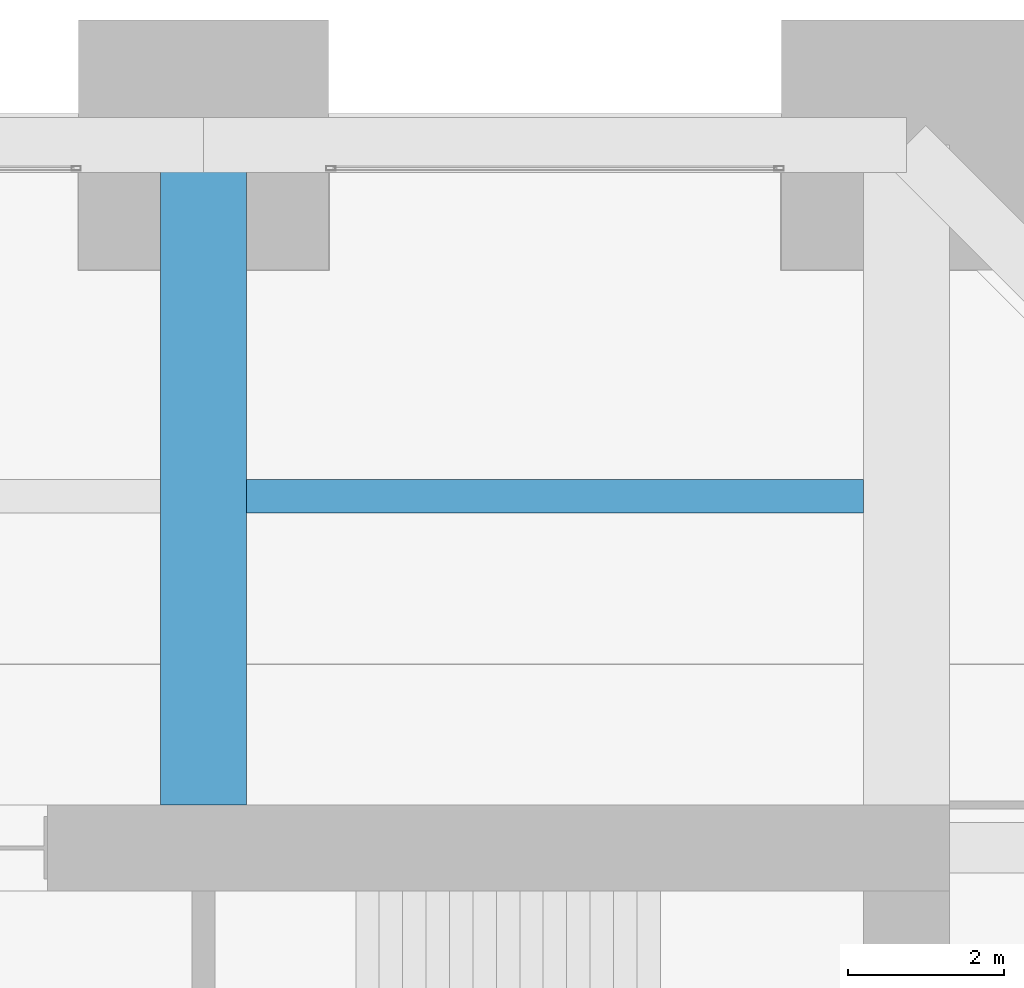
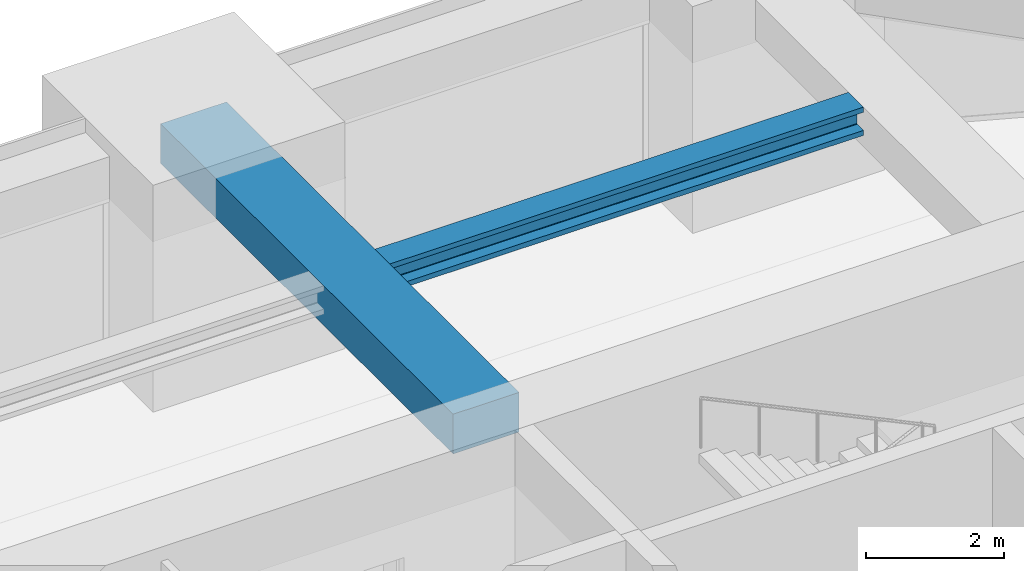
# One storey, part 33 of 43: 2 beams.
"""IFC4 building model written with IfcOpenShell, lengths in metres."""

from ifc_helpers import new_model, si_unit, direction, frame, origin, origin_2d, place, context, subcontext, project, spatial, rectangle, i_section, extrude, material, material_profile, profile_set, type_object, element, save


model = new_model("IFC4")

# Units and contexts
model_context = context("Model", 3, precision=1e-05, world=origin(), true_north=direction((0.0, 1.0)))
body_context = subcontext(model_context, "Body", "Model", "MODEL_VIEW")
ifc_project = project(units=[si_unit("LENGTHUNIT", "METRE"), si_unit("AREAUNIT", "SQUARE_METRE"), si_unit("VOLUMEUNIT", "CUBIC_METRE"), si_unit("PLANEANGLEUNIT", "RADIAN"), si_unit("MASSUNIT", "GRAM", prefix="KILO")], contexts=[model_context])

# Site, building, storey
site_placement = place(None, origin())
site = spatial("IfcSite", under=ifc_project, at=site_placement, CompositionType="ELEMENT")
building_placement = place(site_placement, origin())
building = spatial("IfcBuilding", under=site, at=building_placement, Name="Zorevar Civic Tower", CompositionType="ELEMENT")
storey_placement = place(building_placement, frame((0.0, 0.0, 243.39990234375)))
storey = spatial("IfcBuildingStorey", under=building, at=storey_placement, Name="L59", CompositionType="ELEMENT", Elevation=243.39990234375)

# Beams
ifc_material_1 = material(Name="Concrete C50/60", Category="concrete")
ifc_material_profile_1 = material_profile(ifc_material_1, rectangle(XDim=1.10009765625, YDim=0.699951171875, at=origin_2d()), Name="RC 1100x700")
ifc_profile_set_1 = profile_set([ifc_material_profile_1], Name="Concrete C50/60")
beam_type_1 = type_object("IfcBeamType", Name="Beam RC 1100x700", PredefinedType="BEAM", material=ifc_profile_set_1)
beam_1_placement = place(storey_placement, frame((36.0, 36.550048828125, 3.400146484375), z_axis=(0.0, 1.0, 0.0), x_axis=(-1.0, 0.0, 0.0)))
element("IfcBeam", 1, at=beam_1_placement, inside=storey, type_object=beam_type_1, Name="Girder L60", PredefinedType="BEAM", context=body_context, shape_type="SweptSolid", body=[
    extrude(rectangle(XDim=1.10009765625, YDim=0.699951171875, at=origin_2d()), origin(), (0.0, 0.0, 1.0), 8.449951171875),
])
ifc_material_2 = material(Name="Steel S460M (HISTAR 460)", Category="steel")
ifc_material_profile_2 = material_profile(ifc_material_2, i_section(OverallWidth=0.431884765625, OverallDepth=0.498046875, WebThickness=0.0556640625, FlangeThickness=0.0888671875, FilletRadius=0.014892578125, at=origin_2d()), Name="HD 400x744")
ifc_profile_set_2 = profile_set([ifc_material_profile_2], Name="Steel S460M (HISTAR 460)")
beam_type_2 = type_object("IfcBeamType", Name="Core bay beam HD 400x744", PredefinedType="BEAM", material=ifc_profile_set_2)
beam_2_placement = place(storey_placement, frame((36.550048828125, 40.5, 3.5009765625), z_axis=(1.0, 0.0, 0.0), x_axis=(0.0, 1.0, 0.0)))
element("IfcBeam", 2, at=beam_2_placement, inside=storey, type_object=beam_type_2, Name="Secondary beam L60", PredefinedType="BEAM", context=body_context, shape_type="SweptSolid", body=[
    extrude(i_section(OverallWidth=0.431884765625, OverallDepth=0.498046875, WebThickness=0.0556640625, FlangeThickness=0.0888671875, FilletRadius=0.014892578125, at=origin_2d()), origin(), (0.0, 0.0, 1.0), 7.89990234375),
])

save(model, "model.ifc")
